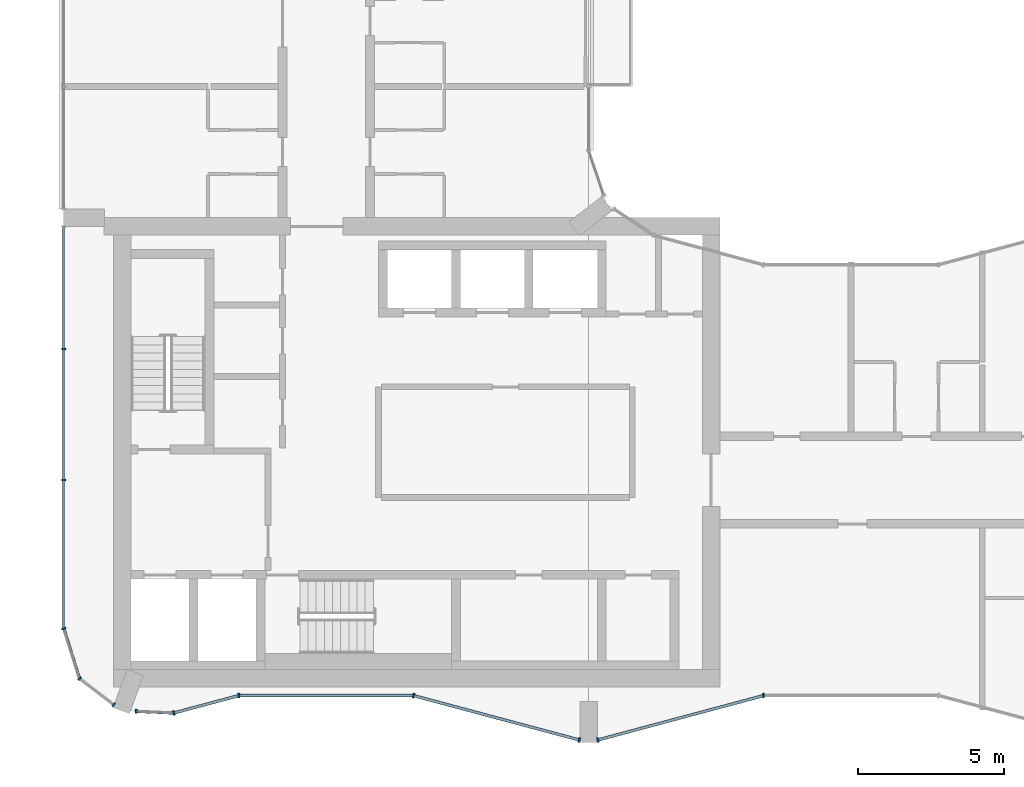
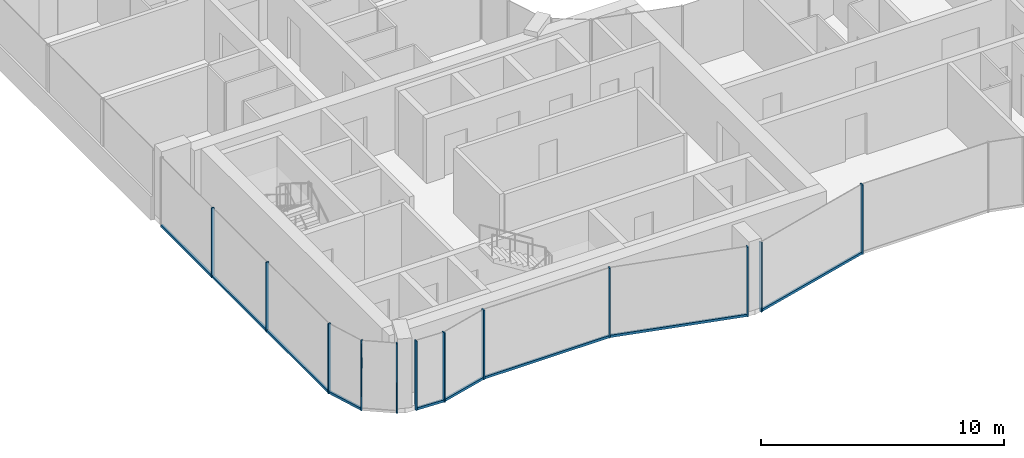
# One storey, part 2 of 15: 19 members, 9 elements without a shape of their own.
"""IFC4 building model written with IfcOpenShell, lengths in metres."""

from ifc_helpers import new_model, si_unit, direction, frame, origin, origin_2d, place, context, subcontext, project, spatial, rectangle, extrude, material, layer, layer_set, material_profile, profile_set, type_object, element, aggregate, save


model = new_model("IFC4")

# Units and contexts
model_context = context("Model", 3, precision=1e-05, world=origin(), true_north=direction((0.0, 1.0)))
body_context = subcontext(model_context, "Body", "Model", "MODEL_VIEW")
ifc_project = project(units=[si_unit("LENGTHUNIT", "METRE"), si_unit("AREAUNIT", "SQUARE_METRE"), si_unit("VOLUMEUNIT", "CUBIC_METRE"), si_unit("PLANEANGLEUNIT", "RADIAN"), si_unit("MASSUNIT", "GRAM", prefix="KILO")], contexts=[model_context])

# Site, building, storey
site_placement = place(None, origin())
site = spatial("IfcSite", under=ifc_project, at=site_placement, CompositionType="ELEMENT")
building_placement = place(site_placement, origin())
building = spatial("IfcBuilding", under=site, at=building_placement, Name="Plateau Cross Towers", CompositionType="ELEMENT")
storey_placement = place(building_placement, frame((0.0, 0.0, 174.39990234375)))
storey = spatial("IfcBuildingStorey", under=building, at=storey_placement, Name="L45", CompositionType="ELEMENT", Elevation=174.39990234375)

# Curtain wall, members
ifc_material_1 = material(Name="Dark low-iron glass", Category="glass")
ifc_layer_1 = layer(ifc_material_1, 0.239990234375)
ifc_layer_set_1 = layer_set([ifc_layer_1], Name="Dark low-iron glass")
curtain_wall_type_1 = type_object("IfcCurtainWallType", Name="Curtain wall flush unitised CW-B", PredefinedType="NOTDEFINED", material=ifc_layer_set_1)
curtain_wall_1_placement = place(storey_placement, origin())
curtain_wall_1 = element("IfcCurtainWall", 1, at=curtain_wall_1_placement, inside=storey, type_object=curtain_wall_type_1, Name="ENV/A/L45/A0_177", PredefinedType="NOTDEFINED")
ifc_material_2 = material(Name="Black anodised aluminium", Category="aluminium")
ifc_material_profile_1 = material_profile(ifc_material_2, rectangle(XDim=0.06005859375, YDim=0.139892578125, at=origin_2d()), Name="MULLION 60x140")
ifc_profile_set_1 = profile_set([ifc_material_profile_1], Name="Black anodised aluminium")
member_type_1 = type_object("IfcMemberType", Name="Mullion 60x140 flush unitised", PredefinedType="MULLION", material=ifc_profile_set_1)
member_1_placement = place(storey_placement, frame((0.0, 13.5, -0.25), z_axis=(0.0, 0.0, 1.0), x_axis=(0.0, -1.0, 0.0)))
member_1 = element("IfcMember", 2, at=member_1_placement, type_object=member_type_1, Name="CW-B mullion 2", PredefinedType="MULLION", context=body_context, shape_type="SweptSolid", body=[
    extrude(rectangle(XDim=0.06005859375, YDim=0.139892578125, at=origin_2d()), origin(), (0.0, 0.0, 1.0), 3.5),
])
member_2_placement = place(storey_placement, frame((0.0, 9.0, -0.25), z_axis=(0.0, 0.0, 1.0), x_axis=(0.0, -1.0, 0.0)))
member_2 = element("IfcMember", 3, at=member_2_placement, type_object=member_type_1, Name="CW-B mullion 3", PredefinedType="MULLION", context=body_context, shape_type="SweptSolid", body=[
    extrude(rectangle(XDim=0.06005859375, YDim=0.139892578125, at=origin_2d()), origin(), (0.0, 0.0, 1.0), 3.5),
])

# Curtain wall, member
curtain_wall_2_placement = place(storey_placement, origin())
curtain_wall_2 = element("IfcCurtainWall", 4, at=curtain_wall_2_placement, inside=storey, type_object=curtain_wall_type_1, Name="ENV/A/L45/A0_39", PredefinedType="NOTDEFINED")
member_3_placement = place(storey_placement, frame((0.0, 3.9091796875, -0.25), z_axis=(0.0, 0.0, 1.0), x_axis=(0.300686174994, -0.95372313811, 0.0)))
member_3 = element("IfcMember", 5, at=member_3_placement, type_object=member_type_1, Name="CW-B mullion 1", PredefinedType="MULLION", context=body_context, shape_type="SweptSolid", body=[
    extrude(rectangle(XDim=0.06005859375, YDim=0.139892578125, at=origin_2d()), origin(), (0.0, 0.0, 1.0), 3.5),
])

# Curtain wall, members
curtain_wall_3_placement = place(storey_placement, origin())
curtain_wall_3 = element("IfcCurtainWall", 6, at=curtain_wall_3_placement, inside=storey, type_object=curtain_wall_type_1, Name="ENV/A/L45/A5_22", PredefinedType="NOTDEFINED")
member_4_placement = place(storey_placement, frame((0.54248046875, 2.1884765625, -0.25), z_axis=(0.0, 0.0, 1.0), x_axis=(0.793315514529, -0.608810721331, 0.0)))
member_4 = element("IfcMember", 7, at=member_4_placement, type_object=member_type_1, Name="CW-B mullion 1", PredefinedType="MULLION", context=body_context, shape_type="SweptSolid", body=[
    extrude(rectangle(XDim=0.06005859375, YDim=0.139892578125, at=origin_2d()), origin(), (0.0, 0.0, 1.0), 3.5),
])
member_5_placement = place(storey_placement, frame((1.709716796875, 1.292724609375, -0.25), z_axis=(0.0, 0.0, 1.0), x_axis=(0.793315514529, -0.608810721331, 0.0)))
member_5 = element("IfcMember", 8, at=member_5_placement, type_object=member_type_1, Name="CW-B mullion 2", PredefinedType="MULLION", context=body_context, shape_type="SweptSolid", body=[
    extrude(rectangle(XDim=0.06005859375, YDim=0.139892578125, at=origin_2d()), origin(), (0.0, 0.0, 1.0), 3.5),
])
aggregate(curtain_wall_3, [member_4, member_5])

# Curtain wall, member
curtain_wall_4_placement = place(storey_placement, origin())
curtain_wall_4 = element("IfcCurtainWall", 9, at=curtain_wall_4_placement, inside=storey, type_object=curtain_wall_type_1, Name="ENV/A/L45/A25_11", PredefinedType="NOTDEFINED")
member_6_placement = place(storey_placement, frame((2.483642578125, 1.06787109375, -0.25), z_axis=(0.0, 0.0, 1.0), x_axis=(0.999043701491, -0.043722791671, 0.0)))
member_6 = element("IfcMember", 10, at=member_6_placement, type_object=member_type_1, Name="CW-B mullion 1", PredefinedType="MULLION", context=body_context, shape_type="SweptSolid", body=[
    extrude(rectangle(XDim=0.06005859375, YDim=0.139892578125, at=origin_2d()), origin(), (0.0, 0.0, 1.0), 3.5),
])

ifc_layer_2 = layer(ifc_material_1, 0.260009765625)
ifc_layer_set_2 = layer_set([ifc_layer_2], Name="Dark low-iron glass")
curtain_wall_type_2 = type_object("IfcCurtainWallType", Name="Curtain wall fluted unitised CW-A", PredefinedType="NOTDEFINED", material=ifc_layer_set_2)
curtain_wall_5_placement = place(storey_placement, origin())
curtain_wall_5 = element("IfcCurtainWall", 11, at=curtain_wall_5_placement, inside=storey, type_object=curtain_wall_type_2, Name="ENV/A/L45/A38_10", PredefinedType="NOTDEFINED")
ifc_material_profile_2 = material_profile(ifc_material_2, rectangle(XDim=0.06005859375, YDim=0.159912109375, at=origin_2d()), Name="MULLION 60x160")
ifc_profile_set_2 = profile_set([ifc_material_profile_2], Name="Black anodised aluminium")
member_type_2 = type_object("IfcMemberType", Name="Mullion 60x160 fluted unitised", PredefinedType="MULLION", material=ifc_profile_set_2)
member_7_placement = place(storey_placement, frame((3.776123046875, 1.01123046875, -0.25), z_axis=(0.0, 0.0, 1.0), x_axis=(0.965957962328, 0.258699081978, 0.0)))
member_7 = element("IfcMember", 12, at=member_7_placement, type_object=member_type_2, Name="CW-A mullion 1", PredefinedType="MULLION", context=body_context, shape_type="SweptSolid", body=[
    extrude(rectangle(XDim=0.06005859375, YDim=0.159912109375, at=origin_2d()), origin(), (0.0, 0.0, 1.0), 3.5),
])

curtain_wall_6_placement = place(storey_placement, origin())
curtain_wall_6 = element("IfcCurtainWall", 13, at=curtain_wall_6_placement, inside=storey, type_object=curtain_wall_type_2, Name="ENV/A/L45/A60_16", PredefinedType="NOTDEFINED")
member_8_placement = place(storey_placement, frame((6.0, 1.60693359375, -0.25), z_axis=(0.0, 0.0, 1.0), x_axis=(1.0, 0.0, 0.0)))
member_8 = element("IfcMember", 14, at=member_8_placement, type_object=member_type_2, Name="CW-A mullion 1", PredefinedType="MULLION", context=body_context, shape_type="SweptSolid", body=[
    extrude(rectangle(XDim=0.06005859375, YDim=0.159912109375, at=origin_2d()), origin(), (0.0, 0.0, 1.0), 3.5),
])

# Curtain wall, members
curtain_wall_7_placement = place(storey_placement, origin())
curtain_wall_7 = element("IfcCurtainWall", 15, at=curtain_wall_7_placement, inside=storey, type_object=curtain_wall_type_2, Name="ENV/A/L45/A120_16", PredefinedType="NOTDEFINED")
member_9_placement = place(storey_placement, frame((12.0, 1.60693359375, -0.25), z_axis=(0.0, 0.0, 1.0), x_axis=(0.965957983404, -0.258699003279, 0.0)))
member_9 = element("IfcMember", 16, at=member_9_placement, type_object=member_type_2, Name="CW-A mullion 1", PredefinedType="MULLION", context=body_context, shape_type="SweptSolid", body=[
    extrude(rectangle(XDim=0.06005859375, YDim=0.159912109375, at=origin_2d()), origin(), (0.0, 0.0, 1.0), 3.5),
])
member_10_placement = place(storey_placement, frame((17.68212890625, 0.085205078125, -0.25), z_axis=(0.0, 0.0, 1.0), x_axis=(0.965957983404, -0.258699003279, 0.0)))
member_10 = element("IfcMember", 17, at=member_10_placement, type_object=member_type_2, Name="CW-A mullion 2", PredefinedType="MULLION", context=body_context, shape_type="SweptSolid", body=[
    extrude(rectangle(XDim=0.06005859375, YDim=0.159912109375, at=origin_2d()), origin(), (0.0, 0.0, 1.0), 3.5),
])

# Curtain wall, member
curtain_wall_8_placement = place(storey_placement, origin())
curtain_wall_8 = element("IfcCurtainWall", 18, at=curtain_wall_8_placement, inside=storey, type_object=curtain_wall_type_2, Name="ENV/A/L45/A183_1", PredefinedType="NOTDEFINED")
member_11_placement = place(storey_placement, frame((18.31787109375, 0.085205078125, -0.25), z_axis=(0.0, 0.0, 1.0), x_axis=(0.965957983404, 0.258699003279, 0.0)))
member_11 = element("IfcMember", 19, at=member_11_placement, type_object=member_type_2, Name="CW-A mullion 1", PredefinedType="MULLION", context=body_context, shape_type="SweptSolid", body=[
    extrude(rectangle(XDim=0.06005859375, YDim=0.159912109375, at=origin_2d()), origin(), (0.0, 0.0, 1.0), 3.5),
])

curtain_wall_9_placement = place(storey_placement, origin())
curtain_wall_9 = element("IfcCurtainWall", 20, at=curtain_wall_9_placement, inside=storey, type_object=curtain_wall_type_2, Name="ENV/A/L45/A240_16", PredefinedType="NOTDEFINED")
member_12_placement = place(storey_placement, frame((24.0, 1.60693359375, -0.25), z_axis=(0.0, 0.0, 1.0), x_axis=(1.0, 0.0, 0.0)))
member_12 = element("IfcMember", 21, at=member_12_placement, type_object=member_type_2, Name="CW-A mullion 1", PredefinedType="MULLION", context=body_context, shape_type="SweptSolid", body=[
    extrude(rectangle(XDim=0.06005859375, YDim=0.159912109375, at=origin_2d()), origin(), (0.0, 0.0, 1.0), 3.5),
])
aggregate(curtain_wall_9, [member_12])

# Member
ifc_material_profile_3 = material_profile(ifc_material_2, rectangle(XDim=0.10009765625, YDim=0.1201171875, at=origin_2d()), Name="TRANSOM 100x120")
ifc_profile_set_3 = profile_set([ifc_material_profile_3], Name="Black anodised aluminium")
member_type_3 = type_object("IfcMemberType", Name="Transom 100x120 flush unitised", PredefinedType="USERDEFINED", material=ifc_profile_set_3)
member_13_placement = place(storey_placement, frame((0.0, 17.699951171875, -0.18994140625), z_axis=(0.0, -1.0, 0.0), x_axis=(1.0, 0.0, 0.0)))
member_13 = element("IfcMember", 22, at=member_13_placement, type_object=member_type_3, Name="CW-B transom", ObjectType="TRANSOM", PredefinedType="USERDEFINED", context=body_context, shape_type="SweptSolid", body=[
    extrude(rectangle(XDim=0.10009765625, YDim=0.1201171875, at=origin_2d()), origin(), (0.0, 0.0, 1.0), 13.790771484375),
])

aggregate(curtain_wall_1, [member_1, member_2, member_13])

member_14_placement = place(storey_placement, frame((0.0, 3.9091796875, -0.18994140625), z_axis=(0.30067799945, -0.953725715626, 0.0), x_axis=(0.953725715626, 0.30067799945, 0.0)))
member_14 = element("IfcMember", 23, at=member_14_placement, type_object=member_type_3, Name="CW-B transom", ObjectType="TRANSOM", PredefinedType="USERDEFINED", context=body_context, shape_type="SweptSolid", body=[
    extrude(rectangle(XDim=0.10009765625, YDim=0.1201171875, at=origin_2d()), origin(), (0.0, 0.0, 1.0), 1.80419921875),
])

aggregate(curtain_wall_2, [member_3, member_14])

member_15_placement = place(storey_placement, frame((2.483642578125, 1.06787109375, -0.18994140625), z_axis=(0.999041144614, -0.043781175963, 0.0), x_axis=(0.043781175963, 0.999041144614, 0.0)))
member_15 = element("IfcMember", 24, at=member_15_placement, type_object=member_type_3, Name="CW-B transom", ObjectType="TRANSOM", PredefinedType="USERDEFINED", context=body_context, shape_type="SweptSolid", body=[
    extrude(rectangle(XDim=0.10009765625, YDim=0.1201171875, at=origin_2d()), origin(), (0.0, 0.0, 1.0), 1.293701171875),
])

aggregate(curtain_wall_4, [member_6, member_15])

ifc_material_profile_4 = material_profile(ifc_material_2, rectangle(XDim=0.10009765625, YDim=0.1201171875, at=origin_2d()), Name="TRANSOM 100x120")
ifc_profile_set_4 = profile_set([ifc_material_profile_4], Name="Black anodised aluminium")
member_type_4 = type_object("IfcMemberType", Name="Transom 100x120 fluted unitised", PredefinedType="USERDEFINED", material=ifc_profile_set_4)
member_16_placement = place(storey_placement, frame((3.776123046875, 1.01123046875, -0.18994140625), z_axis=(0.965945685136, 0.258744919501, 0.0), x_axis=(-0.258744919501, 0.965945685136, 0.0)))
member_16 = element("IfcMember", 25, at=member_16_placement, type_object=member_type_4, Name="CW-A transom", ObjectType="TRANSOM", PredefinedType="USERDEFINED", context=body_context, shape_type="SweptSolid", body=[
    extrude(rectangle(XDim=0.10009765625, YDim=0.1201171875, at=origin_2d()), origin(), (0.0, 0.0, 1.0), 2.30224609375),
])

aggregate(curtain_wall_5, [member_7, member_16])

member_17_placement = place(storey_placement, frame((6.0, 1.60693359375, -0.18994140625), z_axis=(1.0, 0.0, 0.0), x_axis=(0.0, 1.0, 0.0)))
member_17 = element("IfcMember", 26, at=member_17_placement, type_object=member_type_4, Name="CW-A transom", ObjectType="TRANSOM", PredefinedType="USERDEFINED", context=body_context, shape_type="SweptSolid", body=[
    extrude(rectangle(XDim=0.10009765625, YDim=0.1201171875, at=origin_2d()), origin(), (0.0, 0.0, 1.0), 6.0),
])

aggregate(curtain_wall_6, [member_8, member_17])

member_18_placement = place(storey_placement, frame((12.0, 1.60693359375, -0.18994140625), z_axis=(0.965959534794, -0.258693210465, 0.0), x_axis=(0.258693210465, 0.965959534794, 0.0)))
member_18 = element("IfcMember", 27, at=member_18_placement, type_object=member_type_4, Name="CW-A transom", ObjectType="TRANSOM", PredefinedType="USERDEFINED", context=body_context, shape_type="SweptSolid", body=[
    extrude(rectangle(XDim=0.10009765625, YDim=0.1201171875, at=origin_2d()), origin(), (0.0, 0.0, 1.0), 5.88232421875),
])

aggregate(curtain_wall_7, [member_9, member_10, member_18])

member_19_placement = place(storey_placement, frame((18.31787109375, 0.085205078125, -0.18994140625), z_axis=(0.965959534794, 0.258693210465, 0.0), x_axis=(-0.258693210465, 0.965959534794, 0.0)))
member_19 = element("IfcMember", 28, at=member_19_placement, type_object=member_type_4, Name="CW-A transom", ObjectType="TRANSOM", PredefinedType="USERDEFINED", context=body_context, shape_type="SweptSolid", body=[
    extrude(rectangle(XDim=0.10009765625, YDim=0.1201171875, at=origin_2d()), origin(), (0.0, 0.0, 1.0), 5.88232421875),
])

aggregate(curtain_wall_8, [member_11, member_19])

save(model, "model.ifc")
